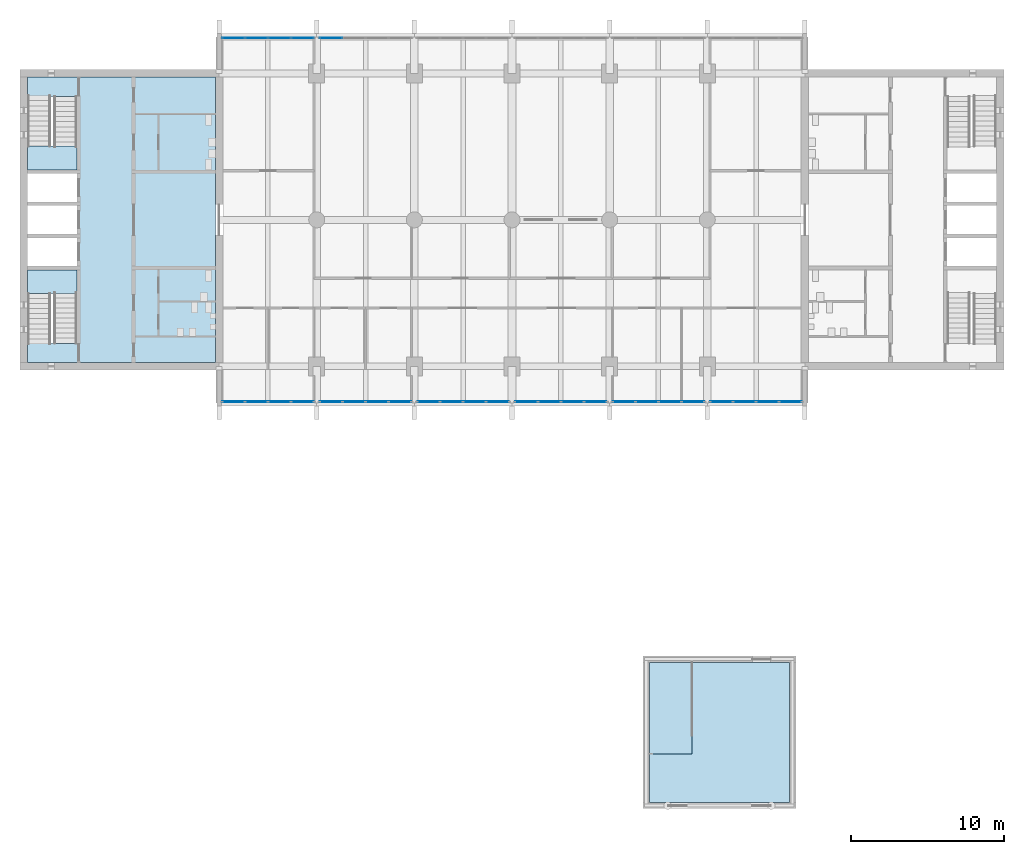
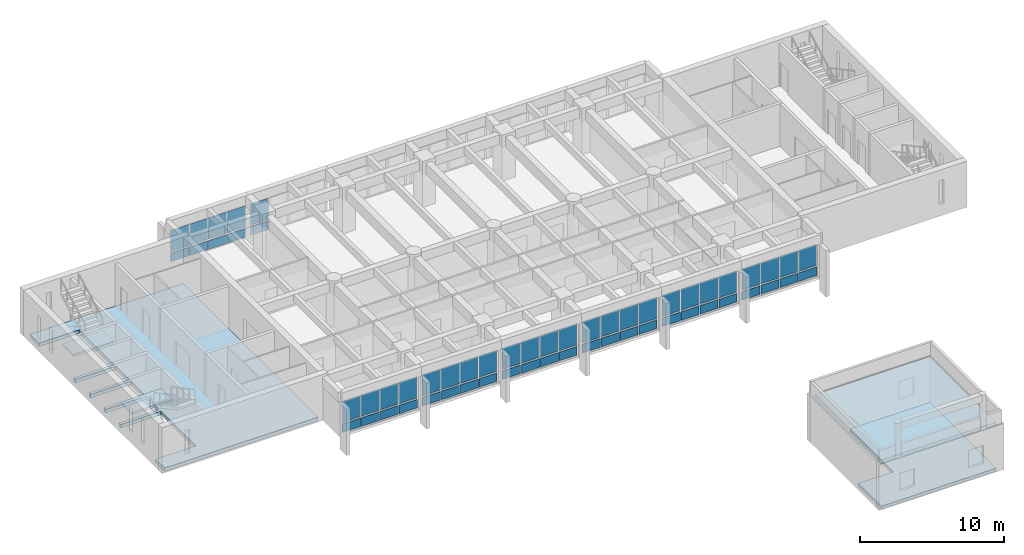
# One storey, part 8 of 19: 58 plates, 5 slabs, 10 elements without a shape of their own.
"""IFC4 building model written with IfcOpenShell, lengths in metres."""

from ifc_helpers import new_model, si_unit, direction, frame, origin, origin_2d, place, context, subcontext, project, spatial, polyline, rectangle, outline, extrude, material, layer, layer_set, type_object, element, aggregate, save


model = new_model("IFC4")

# Units and contexts
model_context = context("Model", 3, precision=1e-05, world=origin(), true_north=direction((0.0, 1.0)))
body_context = subcontext(model_context, "Body", "Model", "MODEL_VIEW")
ifc_project = project(units=[si_unit("LENGTHUNIT", "METRE"), si_unit("AREAUNIT", "SQUARE_METRE"), si_unit("VOLUMEUNIT", "CUBIC_METRE"), si_unit("PLANEANGLEUNIT", "RADIAN"), si_unit("MASSUNIT", "GRAM", prefix="KILO")], contexts=[model_context])

# Site, building, storey
site_placement = place(None, origin())
site = spatial("IfcSite", under=ifc_project, at=site_placement, CompositionType="ELEMENT")
building_placement = place(site_placement, origin())
building = spatial("IfcBuilding", under=site, at=building_placement, Name="Fogon Plaza Fire Station and Headquarters Tower", CompositionType="ELEMENT")
storey_placement = place(building_placement, frame((0.0, 0.0, 24.89990234375)))
storey = spatial("IfcBuildingStorey", under=building, at=storey_placement, Name="L06", CompositionType="ELEMENT", Elevation=24.89990234375)

# Slabs
ifc_material_1 = material(Name="Concrete C40", Category="concrete")
ifc_layer_1 = layer(ifc_material_1, 0.300048828125)
ifc_layer_set_1 = layer_set([ifc_layer_1], Name="Concrete C40")
slab_type_1 = type_object("IfcSlabType", Name="Core Floor Slab RC 300", PredefinedType="FLOOR", material=ifc_layer_set_1)
slab_1_placement = place(storey_placement, frame((0.0, 0.0, -0.2998046875)))
element("IfcSlab", 1, at=slab_1_placement, inside=storey, type_object=slab_type_1, Name="Core A floor", PredefinedType="FLOOR", context=body_context, shape_type="SweptSolid", body=[
    extrude(outline(polyline([(13.050048828125, 35.110107421875), (13.050048828125, 33.85009765625), (25.35009765625, 33.85009765625), (25.35009765625, 52.550048828125), (13.050048828125, 52.550048828125), (13.050048828125, 51.2900390625), (16.27490234375, 51.2900390625), (16.27490234375, 46.47509765625), (13.050048828125, 46.47509765625), (13.050048828125, 46.22509765625), (16.27490234375, 46.22509765625), (16.27490234375, 44.375), (13.050048828125, 44.375), (13.050048828125, 44.125), (16.27490234375, 44.125), (16.27490234375, 42.27490234375), (13.050048828125, 42.27490234375), (13.050048828125, 42.02490234375), (16.27490234375, 42.02490234375), (16.27490234375, 40.175048828125), (13.050048828125, 40.175048828125), (13.050048828125, 39.925048828125), (16.27490234375, 39.925048828125), (16.27490234375, 35.110107421875), (13.050048828125, 35.110107421875)])), origin(), (0.0, 0.0, 1.0), 0.2998046875),
])
ifc_material_2 = material(Name="Concrete C40", Category="concrete")
ifc_layer_2 = layer(ifc_material_2, 0.25)
ifc_layer_set_2 = layer_set([ifc_layer_2], Name="Concrete C40")
slab_type_2 = type_object("IfcSlabType", Name="Floor slab 250 S25", PredefinedType="FLOOR", material=ifc_layer_set_2)
slab_2_placement = place(storey_placement, frame((0.0, 0.0, -0.25)))
element("IfcSlab", 2, at=slab_2_placement, inside=storey, type_object=slab_type_2, Name="slab-drill-L06", PredefinedType="FLOOR", context=body_context, shape_type="SweptSolid", body=[
    extrude(outline(polyline([(63.0, 14.199951171875), (63.0, 5.0), (53.800048828125, 5.0), (53.800048828125, 8.199951171875), (56.60009765625, 8.199951171875), (56.60009765625, 14.199951171875), (63.0, 14.199951171875)])), origin(), (0.0, 0.0, 1.0), 0.25),
])

# Curtain wall, plates
ifc_material_3 = material(Name="Aluminium and glass", Category="aluminium")
ifc_layer_3 = layer(ifc_material_3, 0.14990234375)
ifc_layer_set_3 = layer_set([ifc_layer_3], Name="Aluminium and glass")
curtain_wall_type = type_object("IfcCurtainWallType", Name="Unitised Curtain Wall Run 6100x2880", PredefinedType="NOTDEFINED", material=ifc_layer_set_3)
curtain_wall_1_placement = place(storey_placement, origin())
curtain_wall_1 = element("IfcCurtainWall", 3, at=curtain_wall_1_placement, inside=storey, type_object=curtain_wall_type, Name="CW-6100x2880 S1 L06", PredefinedType="NOTDEFINED")
ifc_material_4 = material(Name="Insulated aluminium spandrel", Category="aluminium")
ifc_layer_4 = layer(ifc_material_4, 0.06005859375)
ifc_layer_set_4 = layer_set([ifc_layer_4], Name="Insulated aluminium spandrel")
plate_type_1 = type_object("IfcPlateType", Name="Insulated Spandrel Panel", PredefinedType="CURTAIN_PANEL", material=ifc_layer_set_4)
plate_1_placement = place(storey_placement, frame((26.534912109375, 31.280029296875, 0.1201171875), z_axis=(0.0, 0.0, 1.0), x_axis=(1.0, 0.0, 0.0)))
plate_1 = element("IfcPlate", 4, at=plate_1_placement, type_object=plate_type_1, Name="SP1 panel 1.1", PredefinedType="CURTAIN_PANEL", context=body_context, shape_type="SweptSolid", body=[
    extrude(rectangle(XDim=1.449951171875, YDim=0.06005859375, at=origin_2d()), origin(), (0.0, 0.0, 1.0), 0.719970703125),
])
plate_2_placement = place(storey_placement, frame((28.044921875, 31.280029296875, 0.1201171875), z_axis=(0.0, 0.0, 1.0), x_axis=(1.0, 0.0, 0.0)))
plate_2 = element("IfcPlate", 5, at=plate_2_placement, type_object=plate_type_1, Name="SP1 panel 2.1", PredefinedType="CURTAIN_PANEL", context=body_context, shape_type="SweptSolid", body=[
    extrude(rectangle(XDim=1.449951171875, YDim=0.06005859375, at=origin_2d()), origin(), (0.0, 0.0, 1.0), 0.719970703125),
])
plate_3_placement = place(storey_placement, frame((29.554931640625, 31.280029296875, 0.1201171875), z_axis=(0.0, 0.0, 1.0), x_axis=(1.0, 0.0, 0.0)))
plate_3 = element("IfcPlate", 6, at=plate_3_placement, type_object=plate_type_1, Name="SP1 panel 3.1", PredefinedType="CURTAIN_PANEL", context=body_context, shape_type="SweptSolid", body=[
    extrude(rectangle(XDim=1.449951171875, YDim=0.06005859375, at=origin_2d()), origin(), (0.0, 0.0, 1.0), 0.719970703125),
])
plate_4_placement = place(storey_placement, frame((31.06494140625, 31.280029296875, 0.1201171875), z_axis=(0.0, 0.0, 1.0), x_axis=(1.0, 0.0, 0.0)))
plate_4 = element("IfcPlate", 7, at=plate_4_placement, type_object=plate_type_1, Name="SP1 panel 4.1", PredefinedType="CURTAIN_PANEL", context=body_context, shape_type="SweptSolid", body=[
    extrude(rectangle(XDim=1.449951171875, YDim=0.06005859375, at=origin_2d()), origin(), (0.0, 0.0, 1.0), 0.719970703125),
])

curtain_wall_2_placement = place(storey_placement, origin())
curtain_wall_2 = element("IfcCurtainWall", 8, at=curtain_wall_2_placement, inside=storey, type_object=curtain_wall_type, Name="CW-6100x2880 S2 L06", PredefinedType="NOTDEFINED")
plate_5_placement = place(storey_placement, frame((32.93505859375, 31.280029296875, 0.1201171875), z_axis=(0.0, 0.0, 1.0), x_axis=(1.0, 0.0, 0.0)))
plate_5 = element("IfcPlate", 9, at=plate_5_placement, type_object=plate_type_1, Name="SP1 panel 1.1", PredefinedType="CURTAIN_PANEL", context=body_context, shape_type="SweptSolid", body=[
    extrude(rectangle(XDim=1.449951171875, YDim=0.06005859375, at=origin_2d()), origin(), (0.0, 0.0, 1.0), 0.719970703125),
])
plate_6_placement = place(storey_placement, frame((34.445068359375, 31.280029296875, 0.1201171875), z_axis=(0.0, 0.0, 1.0), x_axis=(1.0, 0.0, 0.0)))
plate_6 = element("IfcPlate", 10, at=plate_6_placement, type_object=plate_type_1, Name="SP1 panel 2.1", PredefinedType="CURTAIN_PANEL", context=body_context, shape_type="SweptSolid", body=[
    extrude(rectangle(XDim=1.449951171875, YDim=0.06005859375, at=origin_2d()), origin(), (0.0, 0.0, 1.0), 0.719970703125),
])
plate_7_placement = place(storey_placement, frame((35.955078125, 31.280029296875, 0.1201171875), z_axis=(0.0, 0.0, 1.0), x_axis=(1.0, 0.0, 0.0)))
plate_7 = element("IfcPlate", 11, at=plate_7_placement, type_object=plate_type_1, Name="SP1 panel 3.1", PredefinedType="CURTAIN_PANEL", context=body_context, shape_type="SweptSolid", body=[
    extrude(rectangle(XDim=1.449951171875, YDim=0.06005859375, at=origin_2d()), origin(), (0.0, 0.0, 1.0), 0.719970703125),
])
plate_8_placement = place(storey_placement, frame((37.465087890625, 31.280029296875, 0.1201171875), z_axis=(0.0, 0.0, 1.0), x_axis=(1.0, 0.0, 0.0)))
plate_8 = element("IfcPlate", 12, at=plate_8_placement, type_object=plate_type_1, Name="SP1 panel 4.1", PredefinedType="CURTAIN_PANEL", context=body_context, shape_type="SweptSolid", body=[
    extrude(rectangle(XDim=1.449951171875, YDim=0.06005859375, at=origin_2d()), origin(), (0.0, 0.0, 1.0), 0.719970703125),
])

curtain_wall_3_placement = place(storey_placement, origin())
curtain_wall_3 = element("IfcCurtainWall", 13, at=curtain_wall_3_placement, inside=storey, type_object=curtain_wall_type, Name="CW-6100x2880 S3 L06", PredefinedType="NOTDEFINED")
plate_9_placement = place(storey_placement, frame((39.3349609375, 31.280029296875, 0.1201171875), z_axis=(0.0, 0.0, 1.0), x_axis=(1.0, 0.0, 0.0)))
plate_9 = element("IfcPlate", 14, at=plate_9_placement, type_object=plate_type_1, Name="SP1 panel 1.1", PredefinedType="CURTAIN_PANEL", context=body_context, shape_type="SweptSolid", body=[
    extrude(rectangle(XDim=1.449951171875, YDim=0.06005859375, at=origin_2d()), origin(), (0.0, 0.0, 1.0), 0.719970703125),
])
plate_10_placement = place(storey_placement, frame((40.844970703125, 31.280029296875, 0.1201171875), z_axis=(0.0, 0.0, 1.0), x_axis=(1.0, 0.0, 0.0)))
plate_10 = element("IfcPlate", 15, at=plate_10_placement, type_object=plate_type_1, Name="SP1 panel 2.1", PredefinedType="CURTAIN_PANEL", context=body_context, shape_type="SweptSolid", body=[
    extrude(rectangle(XDim=1.449951171875, YDim=0.06005859375, at=origin_2d()), origin(), (0.0, 0.0, 1.0), 0.719970703125),
])
plate_11_placement = place(storey_placement, frame((42.35498046875, 31.280029296875, 0.1201171875), z_axis=(0.0, 0.0, 1.0), x_axis=(1.0, 0.0, 0.0)))
plate_11 = element("IfcPlate", 16, at=plate_11_placement, type_object=plate_type_1, Name="SP1 panel 3.1", PredefinedType="CURTAIN_PANEL", context=body_context, shape_type="SweptSolid", body=[
    extrude(rectangle(XDim=1.449951171875, YDim=0.06005859375, at=origin_2d()), origin(), (0.0, 0.0, 1.0), 0.719970703125),
])
plate_12_placement = place(storey_placement, frame((43.864990234375, 31.280029296875, 0.1201171875), z_axis=(0.0, 0.0, 1.0), x_axis=(1.0, 0.0, 0.0)))
plate_12 = element("IfcPlate", 17, at=plate_12_placement, type_object=plate_type_1, Name="SP1 panel 4.1", PredefinedType="CURTAIN_PANEL", context=body_context, shape_type="SweptSolid", body=[
    extrude(rectangle(XDim=1.449951171875, YDim=0.06005859375, at=origin_2d()), origin(), (0.0, 0.0, 1.0), 0.719970703125),
])

curtain_wall_4_placement = place(storey_placement, origin())
curtain_wall_4 = element("IfcCurtainWall", 18, at=curtain_wall_4_placement, inside=storey, type_object=curtain_wall_type, Name="CW-6100x2880 S4 L06", PredefinedType="NOTDEFINED")
plate_13_placement = place(storey_placement, frame((45.735107421875, 31.280029296875, 0.1201171875), z_axis=(0.0, 0.0, 1.0), x_axis=(1.0, 0.0, 0.0)))
plate_13 = element("IfcPlate", 19, at=plate_13_placement, type_object=plate_type_1, Name="SP1 panel 1.1", PredefinedType="CURTAIN_PANEL", context=body_context, shape_type="SweptSolid", body=[
    extrude(rectangle(XDim=1.449951171875, YDim=0.06005859375, at=origin_2d()), origin(), (0.0, 0.0, 1.0), 0.719970703125),
])
plate_14_placement = place(storey_placement, frame((47.2451171875, 31.280029296875, 0.1201171875), z_axis=(0.0, 0.0, 1.0), x_axis=(1.0, 0.0, 0.0)))
plate_14 = element("IfcPlate", 20, at=plate_14_placement, type_object=plate_type_1, Name="SP1 panel 2.1", PredefinedType="CURTAIN_PANEL", context=body_context, shape_type="SweptSolid", body=[
    extrude(rectangle(XDim=1.449951171875, YDim=0.06005859375, at=origin_2d()), origin(), (0.0, 0.0, 1.0), 0.719970703125),
])
plate_15_placement = place(storey_placement, frame((48.7548828125, 31.280029296875, 0.1201171875), z_axis=(0.0, 0.0, 1.0), x_axis=(1.0, 0.0, 0.0)))
plate_15 = element("IfcPlate", 21, at=plate_15_placement, type_object=plate_type_1, Name="SP1 panel 3.1", PredefinedType="CURTAIN_PANEL", context=body_context, shape_type="SweptSolid", body=[
    extrude(rectangle(XDim=1.449951171875, YDim=0.06005859375, at=origin_2d()), origin(), (0.0, 0.0, 1.0), 0.719970703125),
])
plate_16_placement = place(storey_placement, frame((50.264892578125, 31.280029296875, 0.1201171875), z_axis=(0.0, 0.0, 1.0), x_axis=(1.0, 0.0, 0.0)))
plate_16 = element("IfcPlate", 22, at=plate_16_placement, type_object=plate_type_1, Name="SP1 panel 4.1", PredefinedType="CURTAIN_PANEL", context=body_context, shape_type="SweptSolid", body=[
    extrude(rectangle(XDim=1.449951171875, YDim=0.06005859375, at=origin_2d()), origin(), (0.0, 0.0, 1.0), 0.719970703125),
])

curtain_wall_5_placement = place(storey_placement, origin())
curtain_wall_5 = element("IfcCurtainWall", 23, at=curtain_wall_5_placement, inside=storey, type_object=curtain_wall_type, Name="CW-6100x2880 S5 L06", PredefinedType="NOTDEFINED")
plate_17_placement = place(storey_placement, frame((52.135009765625, 31.280029296875, 0.1201171875), z_axis=(0.0, 0.0, 1.0), x_axis=(1.0, 0.0, 0.0)))
plate_17 = element("IfcPlate", 24, at=plate_17_placement, type_object=plate_type_1, Name="SP1 panel 1.1", PredefinedType="CURTAIN_PANEL", context=body_context, shape_type="SweptSolid", body=[
    extrude(rectangle(XDim=1.449951171875, YDim=0.06005859375, at=origin_2d()), origin(), (0.0, 0.0, 1.0), 0.719970703125),
])
plate_18_placement = place(storey_placement, frame((53.64501953125, 31.280029296875, 0.1201171875), z_axis=(0.0, 0.0, 1.0), x_axis=(1.0, 0.0, 0.0)))
plate_18 = element("IfcPlate", 25, at=plate_18_placement, type_object=plate_type_1, Name="SP1 panel 2.1", PredefinedType="CURTAIN_PANEL", context=body_context, shape_type="SweptSolid", body=[
    extrude(rectangle(XDim=1.449951171875, YDim=0.06005859375, at=origin_2d()), origin(), (0.0, 0.0, 1.0), 0.719970703125),
])
plate_19_placement = place(storey_placement, frame((55.155029296875, 31.280029296875, 0.1201171875), z_axis=(0.0, 0.0, 1.0), x_axis=(1.0, 0.0, 0.0)))
plate_19 = element("IfcPlate", 26, at=plate_19_placement, type_object=plate_type_1, Name="SP1 panel 3.1", PredefinedType="CURTAIN_PANEL", context=body_context, shape_type="SweptSolid", body=[
    extrude(rectangle(XDim=1.449951171875, YDim=0.06005859375, at=origin_2d()), origin(), (0.0, 0.0, 1.0), 0.719970703125),
])
plate_20_placement = place(storey_placement, frame((56.6650390625, 31.280029296875, 0.1201171875), z_axis=(0.0, 0.0, 1.0), x_axis=(1.0, 0.0, 0.0)))
plate_20 = element("IfcPlate", 27, at=plate_20_placement, type_object=plate_type_1, Name="SP1 panel 4.1", PredefinedType="CURTAIN_PANEL", context=body_context, shape_type="SweptSolid", body=[
    extrude(rectangle(XDim=1.449951171875, YDim=0.06005859375, at=origin_2d()), origin(), (0.0, 0.0, 1.0), 0.719970703125),
])

curtain_wall_6_placement = place(storey_placement, origin())
curtain_wall_6 = element("IfcCurtainWall", 28, at=curtain_wall_6_placement, inside=storey, type_object=curtain_wall_type, Name="CW-6100x2880 S6 L06", PredefinedType="NOTDEFINED")
plate_21_placement = place(storey_placement, frame((58.534912109375, 31.280029296875, 0.1201171875), z_axis=(0.0, 0.0, 1.0), x_axis=(1.0, 0.0, 0.0)))
plate_21 = element("IfcPlate", 29, at=plate_21_placement, type_object=plate_type_1, Name="SP1 panel 1.1", PredefinedType="CURTAIN_PANEL", context=body_context, shape_type="SweptSolid", body=[
    extrude(rectangle(XDim=1.449951171875, YDim=0.06005859375, at=origin_2d()), origin(), (0.0, 0.0, 1.0), 0.719970703125),
])
plate_22_placement = place(storey_placement, frame((60.044921875, 31.280029296875, 0.1201171875), z_axis=(0.0, 0.0, 1.0), x_axis=(1.0, 0.0, 0.0)))
plate_22 = element("IfcPlate", 30, at=plate_22_placement, type_object=plate_type_1, Name="SP1 panel 2.1", PredefinedType="CURTAIN_PANEL", context=body_context, shape_type="SweptSolid", body=[
    extrude(rectangle(XDim=1.449951171875, YDim=0.06005859375, at=origin_2d()), origin(), (0.0, 0.0, 1.0), 0.719970703125),
])
plate_23_placement = place(storey_placement, frame((61.554931640625, 31.280029296875, 0.1201171875), z_axis=(0.0, 0.0, 1.0), x_axis=(1.0, 0.0, 0.0)))
plate_23 = element("IfcPlate", 31, at=plate_23_placement, type_object=plate_type_1, Name="SP1 panel 3.1", PredefinedType="CURTAIN_PANEL", context=body_context, shape_type="SweptSolid", body=[
    extrude(rectangle(XDim=1.449951171875, YDim=0.06005859375, at=origin_2d()), origin(), (0.0, 0.0, 1.0), 0.719970703125),
])
plate_24_placement = place(storey_placement, frame((63.06494140625, 31.280029296875, 0.1201171875), z_axis=(0.0, 0.0, 1.0), x_axis=(1.0, 0.0, 0.0)))
plate_24 = element("IfcPlate", 32, at=plate_24_placement, type_object=plate_type_1, Name="SP1 panel 4.1", PredefinedType="CURTAIN_PANEL", context=body_context, shape_type="SweptSolid", body=[
    extrude(rectangle(XDim=1.449951171875, YDim=0.06005859375, at=origin_2d()), origin(), (0.0, 0.0, 1.0), 0.719970703125),
])

curtain_wall_7_placement = place(storey_placement, origin())
curtain_wall_7 = element("IfcCurtainWall", 33, at=curtain_wall_7_placement, inside=storey, type_object=curtain_wall_type, Name="CW-6100x2880 N1 L06", PredefinedType="NOTDEFINED")
plate_25_placement = place(storey_placement, frame((26.534912109375, 55.1201171875, 0.1201171875), z_axis=(0.0, 0.0, 1.0), x_axis=(1.0, 0.0, 0.0)))
plate_25 = element("IfcPlate", 34, at=plate_25_placement, type_object=plate_type_1, Name="SP1 panel 1.1", PredefinedType="CURTAIN_PANEL", context=body_context, shape_type="SweptSolid", body=[
    extrude(rectangle(XDim=1.449951171875, YDim=0.06005859375, at=origin_2d()), origin(), (0.0, 0.0, 1.0), 0.719970703125),
])
plate_26_placement = place(storey_placement, frame((28.044921875, 55.1201171875, 0.1201171875), z_axis=(0.0, 0.0, 1.0), x_axis=(1.0, 0.0, 0.0)))
plate_26 = element("IfcPlate", 35, at=plate_26_placement, type_object=plate_type_1, Name="SP1 panel 2.1", PredefinedType="CURTAIN_PANEL", context=body_context, shape_type="SweptSolid", body=[
    extrude(rectangle(XDim=1.449951171875, YDim=0.06005859375, at=origin_2d()), origin(), (0.0, 0.0, 1.0), 0.719970703125),
])
plate_27_placement = place(storey_placement, frame((29.554931640625, 55.1201171875, 0.1201171875), z_axis=(0.0, 0.0, 1.0), x_axis=(1.0, 0.0, 0.0)))
plate_27 = element("IfcPlate", 36, at=plate_27_placement, type_object=plate_type_1, Name="SP1 panel 3.1", PredefinedType="CURTAIN_PANEL", context=body_context, shape_type="SweptSolid", body=[
    extrude(rectangle(XDim=1.449951171875, YDim=0.06005859375, at=origin_2d()), origin(), (0.0, 0.0, 1.0), 0.719970703125),
])
plate_28_placement = place(storey_placement, frame((31.06494140625, 55.1201171875, 0.1201171875), z_axis=(0.0, 0.0, 1.0), x_axis=(1.0, 0.0, 0.0)))
plate_28 = element("IfcPlate", 37, at=plate_28_placement, type_object=plate_type_1, Name="SP1 panel 4.1", PredefinedType="CURTAIN_PANEL", context=body_context, shape_type="SweptSolid", body=[
    extrude(rectangle(XDim=1.449951171875, YDim=0.06005859375, at=origin_2d()), origin(), (0.0, 0.0, 1.0), 0.719970703125),
])

# Curtain wall, plate
curtain_wall_8_placement = place(storey_placement, origin())
curtain_wall_8 = element("IfcCurtainWall", 38, at=curtain_wall_8_placement, inside=storey, type_object=curtain_wall_type, Name="CW-6100x2880 N2 L06", PredefinedType="NOTDEFINED")
plate_29_placement = place(storey_placement, frame((32.93505859375, 55.1201171875, 0.1201171875), z_axis=(0.0, 0.0, 1.0), x_axis=(1.0, 0.0, 0.0)))
plate_29 = element("IfcPlate", 39, at=plate_29_placement, type_object=plate_type_1, Name="SP1 panel 1.1", PredefinedType="CURTAIN_PANEL", context=body_context, shape_type="SweptSolid", body=[
    extrude(rectangle(XDim=1.449951171875, YDim=0.06005859375, at=origin_2d()), origin(), (0.0, 0.0, 1.0), 0.719970703125),
])

# Slab
ifc_material_5 = material(Name="Concrete C40", Category="concrete")
ifc_layer_5 = layer(ifc_material_5, 0.35009765625)
ifc_layer_set_5 = layer_set([ifc_layer_5], Name="Concrete C40")
slab_type_3 = type_object("IfcSlabType", Name="Roof slab 350 R35", PredefinedType="ROOF", material=ifc_layer_set_5)
slab_3_placement = place(storey_placement, frame((0.0, 0.0, 3.550048828125)))
element("IfcSlab", 40, at=slab_3_placement, inside=storey, type_object=slab_type_3, Name="slab-drill-roof", PredefinedType="ROOF", context=body_context, shape_type="SweptSolid", body=[
    extrude(outline(polyline([(63.0, 5.0), (63.0, 14.199951171875), (53.800048828125, 14.199951171875), (53.800048828125, 5.0), (63.0, 5.0)])), origin(), (0.0, 0.0, 1.0), 0.35009765625),
])

# Stair, slab
ifc_material_6 = material(Name="Concrete C40", Category="concrete")
stair_type = type_object("IfcStairType", Name="Exit Stair Two Flights", PredefinedType="TWO_STRAIGHT_RUN_STAIR", material=ifc_material_6)
stair_1_placement = place(storey_placement, origin())
stair_1 = element("IfcStair", 41, at=stair_1_placement, inside=storey, type_object=stair_type, Name="Stair ST1", PredefinedType="TWO_STRAIGHT_RUN_STAIR")
ifc_material_7 = material(Name="Concrete C40", Category="concrete")
ifc_layer_6 = layer(ifc_material_7, 0.300048828125)
ifc_layer_set_6 = layer_set([ifc_layer_6], Name="Concrete C40")
slab_type_4 = type_object("IfcSlabType", Name="Stair Landing RC 300", PredefinedType="LANDING", material=ifc_layer_set_6)
slab_4_placement = place(storey_placement, frame((0.0, 0.0, 1.75)))
slab_4 = element("IfcSlab", 42, at=slab_4_placement, type_object=slab_type_4, Name="ST1 landing L08", PredefinedType="LANDING", context=body_context, shape_type="SweptSolid", body=[
    extrude(outline(polyline([(16.27490234375, 38.375), (16.27490234375, 39.925048828125), (13.050048828125, 39.925048828125), (13.050048828125, 38.375), (16.27490234375, 38.375)])), origin(), (0.0, 0.0, 1.0), 0.2001953125),
])
aggregate(stair_1, [slab_4])

stair_2_placement = place(storey_placement, origin())
stair_2 = element("IfcStair", 43, at=stair_2_placement, inside=storey, type_object=stair_type, Name="Stair ST2", PredefinedType="TWO_STRAIGHT_RUN_STAIR")
slab_5_placement = place(storey_placement, frame((0.0, 0.0, 1.75)))
slab_5 = element("IfcSlab", 44, at=slab_5_placement, type_object=slab_type_4, Name="ST2 landing L08", PredefinedType="LANDING", context=body_context, shape_type="SweptSolid", body=[
    extrude(outline(polyline([(16.27490234375, 46.47509765625), (16.27490234375, 48.02490234375), (13.050048828125, 48.02490234375), (13.050048828125, 46.47509765625), (16.27490234375, 46.47509765625)])), origin(), (0.0, 0.0, 1.0), 0.2001953125),
])
aggregate(stair_2, [slab_5])

# Plate
ifc_material_8 = material(Name="Low-e double glazing", Category="glass")
ifc_layer_7 = layer(ifc_material_8, 0.028076171875)
ifc_layer_set_7 = layer_set([ifc_layer_7], Name="Low-e double glazing")
plate_type_2 = type_object("IfcPlateType", Name="Vision Glass Panel 1450x1800", PredefinedType="CURTAIN_PANEL", material=ifc_layer_set_7)
plate_30_placement = place(storey_placement, frame((26.534912109375, 31.280029296875, 0.9599609375), z_axis=(0.0, 0.0, 1.0), x_axis=(1.0, 0.0, 0.0)))
plate_30 = element("IfcPlate", 45, at=plate_30_placement, type_object=plate_type_2, Name="VG-1450x1800 panel 1.2", PredefinedType="CURTAIN_PANEL", context=body_context, shape_type="SweptSolid", body=[
    extrude(rectangle(XDim=1.449951171875, YDim=0.028076171875, at=origin_2d()), origin(), (0.0, 0.0, 1.0), 1.800048828125),
])

plate_31_placement = place(storey_placement, frame((28.044921875, 31.280029296875, 0.9599609375), z_axis=(0.0, 0.0, 1.0), x_axis=(1.0, 0.0, 0.0)))
plate_31 = element("IfcPlate", 46, at=plate_31_placement, type_object=plate_type_2, Name="VG-1450x1800 panel 2.2", PredefinedType="CURTAIN_PANEL", context=body_context, shape_type="SweptSolid", body=[
    extrude(rectangle(XDim=1.449951171875, YDim=0.028076171875, at=origin_2d()), origin(), (0.0, 0.0, 1.0), 1.800048828125),
])

plate_32_placement = place(storey_placement, frame((29.554931640625, 31.280029296875, 0.9599609375), z_axis=(0.0, 0.0, 1.0), x_axis=(1.0, 0.0, 0.0)))
plate_32 = element("IfcPlate", 47, at=plate_32_placement, type_object=plate_type_2, Name="VG-1450x1800 panel 3.2", PredefinedType="CURTAIN_PANEL", context=body_context, shape_type="SweptSolid", body=[
    extrude(rectangle(XDim=1.449951171875, YDim=0.028076171875, at=origin_2d()), origin(), (0.0, 0.0, 1.0), 1.800048828125),
])

plate_33_placement = place(storey_placement, frame((31.06494140625, 31.280029296875, 0.9599609375), z_axis=(0.0, 0.0, 1.0), x_axis=(1.0, 0.0, 0.0)))
plate_33 = element("IfcPlate", 48, at=plate_33_placement, type_object=plate_type_2, Name="VG-1450x1800 panel 4.2", PredefinedType="CURTAIN_PANEL", context=body_context, shape_type="SweptSolid", body=[
    extrude(rectangle(XDim=1.449951171875, YDim=0.028076171875, at=origin_2d()), origin(), (0.0, 0.0, 1.0), 1.800048828125),
])

aggregate(curtain_wall_1, [plate_1, plate_30, plate_2, plate_31, plate_3, plate_32, plate_4, plate_33])

plate_34_placement = place(storey_placement, frame((32.93505859375, 31.280029296875, 0.9599609375), z_axis=(0.0, 0.0, 1.0), x_axis=(1.0, 0.0, 0.0)))
plate_34 = element("IfcPlate", 49, at=plate_34_placement, type_object=plate_type_2, Name="VG-1450x1800 panel 1.2", PredefinedType="CURTAIN_PANEL", context=body_context, shape_type="SweptSolid", body=[
    extrude(rectangle(XDim=1.449951171875, YDim=0.028076171875, at=origin_2d()), origin(), (0.0, 0.0, 1.0), 1.800048828125),
])

plate_35_placement = place(storey_placement, frame((34.445068359375, 31.280029296875, 0.9599609375), z_axis=(0.0, 0.0, 1.0), x_axis=(1.0, 0.0, 0.0)))
plate_35 = element("IfcPlate", 50, at=plate_35_placement, type_object=plate_type_2, Name="VG-1450x1800 panel 2.2", PredefinedType="CURTAIN_PANEL", context=body_context, shape_type="SweptSolid", body=[
    extrude(rectangle(XDim=1.449951171875, YDim=0.028076171875, at=origin_2d()), origin(), (0.0, 0.0, 1.0), 1.800048828125),
])

plate_36_placement = place(storey_placement, frame((35.955078125, 31.280029296875, 0.9599609375), z_axis=(0.0, 0.0, 1.0), x_axis=(1.0, 0.0, 0.0)))
plate_36 = element("IfcPlate", 51, at=plate_36_placement, type_object=plate_type_2, Name="VG-1450x1800 panel 3.2", PredefinedType="CURTAIN_PANEL", context=body_context, shape_type="SweptSolid", body=[
    extrude(rectangle(XDim=1.449951171875, YDim=0.028076171875, at=origin_2d()), origin(), (0.0, 0.0, 1.0), 1.800048828125),
])

plate_37_placement = place(storey_placement, frame((37.465087890625, 31.280029296875, 0.9599609375), z_axis=(0.0, 0.0, 1.0), x_axis=(1.0, 0.0, 0.0)))
plate_37 = element("IfcPlate", 52, at=plate_37_placement, type_object=plate_type_2, Name="VG-1450x1800 panel 4.2", PredefinedType="CURTAIN_PANEL", context=body_context, shape_type="SweptSolid", body=[
    extrude(rectangle(XDim=1.449951171875, YDim=0.028076171875, at=origin_2d()), origin(), (0.0, 0.0, 1.0), 1.800048828125),
])

aggregate(curtain_wall_2, [plate_5, plate_34, plate_6, plate_35, plate_7, plate_36, plate_8, plate_37])

plate_38_placement = place(storey_placement, frame((39.3349609375, 31.280029296875, 0.9599609375), z_axis=(0.0, 0.0, 1.0), x_axis=(1.0, 0.0, 0.0)))
plate_38 = element("IfcPlate", 53, at=plate_38_placement, type_object=plate_type_2, Name="VG-1450x1800 panel 1.2", PredefinedType="CURTAIN_PANEL", context=body_context, shape_type="SweptSolid", body=[
    extrude(rectangle(XDim=1.449951171875, YDim=0.028076171875, at=origin_2d()), origin(), (0.0, 0.0, 1.0), 1.800048828125),
])

plate_39_placement = place(storey_placement, frame((40.844970703125, 31.280029296875, 0.9599609375), z_axis=(0.0, 0.0, 1.0), x_axis=(1.0, 0.0, 0.0)))
plate_39 = element("IfcPlate", 54, at=plate_39_placement, type_object=plate_type_2, Name="VG-1450x1800 panel 2.2", PredefinedType="CURTAIN_PANEL", context=body_context, shape_type="SweptSolid", body=[
    extrude(rectangle(XDim=1.449951171875, YDim=0.028076171875, at=origin_2d()), origin(), (0.0, 0.0, 1.0), 1.800048828125),
])

plate_40_placement = place(storey_placement, frame((42.35498046875, 31.280029296875, 0.9599609375), z_axis=(0.0, 0.0, 1.0), x_axis=(1.0, 0.0, 0.0)))
plate_40 = element("IfcPlate", 55, at=plate_40_placement, type_object=plate_type_2, Name="VG-1450x1800 panel 3.2", PredefinedType="CURTAIN_PANEL", context=body_context, shape_type="SweptSolid", body=[
    extrude(rectangle(XDim=1.449951171875, YDim=0.028076171875, at=origin_2d()), origin(), (0.0, 0.0, 1.0), 1.800048828125),
])

plate_41_placement = place(storey_placement, frame((43.864990234375, 31.280029296875, 0.9599609375), z_axis=(0.0, 0.0, 1.0), x_axis=(1.0, 0.0, 0.0)))
plate_41 = element("IfcPlate", 56, at=plate_41_placement, type_object=plate_type_2, Name="VG-1450x1800 panel 4.2", PredefinedType="CURTAIN_PANEL", context=body_context, shape_type="SweptSolid", body=[
    extrude(rectangle(XDim=1.449951171875, YDim=0.028076171875, at=origin_2d()), origin(), (0.0, 0.0, 1.0), 1.800048828125),
])

aggregate(curtain_wall_3, [plate_9, plate_38, plate_10, plate_39, plate_11, plate_40, plate_12, plate_41])

plate_42_placement = place(storey_placement, frame((45.735107421875, 31.280029296875, 0.9599609375), z_axis=(0.0, 0.0, 1.0), x_axis=(1.0, 0.0, 0.0)))
plate_42 = element("IfcPlate", 57, at=plate_42_placement, type_object=plate_type_2, Name="VG-1450x1800 panel 1.2", PredefinedType="CURTAIN_PANEL", context=body_context, shape_type="SweptSolid", body=[
    extrude(rectangle(XDim=1.449951171875, YDim=0.028076171875, at=origin_2d()), origin(), (0.0, 0.0, 1.0), 1.800048828125),
])

plate_43_placement = place(storey_placement, frame((47.2451171875, 31.280029296875, 0.9599609375), z_axis=(0.0, 0.0, 1.0), x_axis=(1.0, 0.0, 0.0)))
plate_43 = element("IfcPlate", 58, at=plate_43_placement, type_object=plate_type_2, Name="VG-1450x1800 panel 2.2", PredefinedType="CURTAIN_PANEL", context=body_context, shape_type="SweptSolid", body=[
    extrude(rectangle(XDim=1.449951171875, YDim=0.028076171875, at=origin_2d()), origin(), (0.0, 0.0, 1.0), 1.800048828125),
])

plate_44_placement = place(storey_placement, frame((48.7548828125, 31.280029296875, 0.9599609375), z_axis=(0.0, 0.0, 1.0), x_axis=(1.0, 0.0, 0.0)))
plate_44 = element("IfcPlate", 59, at=plate_44_placement, type_object=plate_type_2, Name="VG-1450x1800 panel 3.2", PredefinedType="CURTAIN_PANEL", context=body_context, shape_type="SweptSolid", body=[
    extrude(rectangle(XDim=1.449951171875, YDim=0.028076171875, at=origin_2d()), origin(), (0.0, 0.0, 1.0), 1.800048828125),
])

plate_45_placement = place(storey_placement, frame((50.264892578125, 31.280029296875, 0.9599609375), z_axis=(0.0, 0.0, 1.0), x_axis=(1.0, 0.0, 0.0)))
plate_45 = element("IfcPlate", 60, at=plate_45_placement, type_object=plate_type_2, Name="VG-1450x1800 panel 4.2", PredefinedType="CURTAIN_PANEL", context=body_context, shape_type="SweptSolid", body=[
    extrude(rectangle(XDim=1.449951171875, YDim=0.028076171875, at=origin_2d()), origin(), (0.0, 0.0, 1.0), 1.800048828125),
])

aggregate(curtain_wall_4, [plate_13, plate_42, plate_14, plate_43, plate_15, plate_44, plate_16, plate_45])

plate_46_placement = place(storey_placement, frame((52.135009765625, 31.280029296875, 0.9599609375), z_axis=(0.0, 0.0, 1.0), x_axis=(1.0, 0.0, 0.0)))
plate_46 = element("IfcPlate", 61, at=plate_46_placement, type_object=plate_type_2, Name="VG-1450x1800 panel 1.2", PredefinedType="CURTAIN_PANEL", context=body_context, shape_type="SweptSolid", body=[
    extrude(rectangle(XDim=1.449951171875, YDim=0.028076171875, at=origin_2d()), origin(), (0.0, 0.0, 1.0), 1.800048828125),
])

plate_47_placement = place(storey_placement, frame((53.64501953125, 31.280029296875, 0.9599609375), z_axis=(0.0, 0.0, 1.0), x_axis=(1.0, 0.0, 0.0)))
plate_47 = element("IfcPlate", 62, at=plate_47_placement, type_object=plate_type_2, Name="VG-1450x1800 panel 2.2", PredefinedType="CURTAIN_PANEL", context=body_context, shape_type="SweptSolid", body=[
    extrude(rectangle(XDim=1.449951171875, YDim=0.028076171875, at=origin_2d()), origin(), (0.0, 0.0, 1.0), 1.800048828125),
])

plate_48_placement = place(storey_placement, frame((55.155029296875, 31.280029296875, 0.9599609375), z_axis=(0.0, 0.0, 1.0), x_axis=(1.0, 0.0, 0.0)))
plate_48 = element("IfcPlate", 63, at=plate_48_placement, type_object=plate_type_2, Name="VG-1450x1800 panel 3.2", PredefinedType="CURTAIN_PANEL", context=body_context, shape_type="SweptSolid", body=[
    extrude(rectangle(XDim=1.449951171875, YDim=0.028076171875, at=origin_2d()), origin(), (0.0, 0.0, 1.0), 1.800048828125),
])

plate_49_placement = place(storey_placement, frame((56.6650390625, 31.280029296875, 0.9599609375), z_axis=(0.0, 0.0, 1.0), x_axis=(1.0, 0.0, 0.0)))
plate_49 = element("IfcPlate", 64, at=plate_49_placement, type_object=plate_type_2, Name="VG-1450x1800 panel 4.2", PredefinedType="CURTAIN_PANEL", context=body_context, shape_type="SweptSolid", body=[
    extrude(rectangle(XDim=1.449951171875, YDim=0.028076171875, at=origin_2d()), origin(), (0.0, 0.0, 1.0), 1.800048828125),
])

aggregate(curtain_wall_5, [plate_17, plate_46, plate_18, plate_47, plate_19, plate_48, plate_20, plate_49])

plate_50_placement = place(storey_placement, frame((58.534912109375, 31.280029296875, 0.9599609375), z_axis=(0.0, 0.0, 1.0), x_axis=(1.0, 0.0, 0.0)))
plate_50 = element("IfcPlate", 65, at=plate_50_placement, type_object=plate_type_2, Name="VG-1450x1800 panel 1.2", PredefinedType="CURTAIN_PANEL", context=body_context, shape_type="SweptSolid", body=[
    extrude(rectangle(XDim=1.449951171875, YDim=0.028076171875, at=origin_2d()), origin(), (0.0, 0.0, 1.0), 1.800048828125),
])

plate_51_placement = place(storey_placement, frame((60.044921875, 31.280029296875, 0.9599609375), z_axis=(0.0, 0.0, 1.0), x_axis=(1.0, 0.0, 0.0)))
plate_51 = element("IfcPlate", 66, at=plate_51_placement, type_object=plate_type_2, Name="VG-1450x1800 panel 2.2", PredefinedType="CURTAIN_PANEL", context=body_context, shape_type="SweptSolid", body=[
    extrude(rectangle(XDim=1.449951171875, YDim=0.028076171875, at=origin_2d()), origin(), (0.0, 0.0, 1.0), 1.800048828125),
])

plate_52_placement = place(storey_placement, frame((61.554931640625, 31.280029296875, 0.9599609375), z_axis=(0.0, 0.0, 1.0), x_axis=(1.0, 0.0, 0.0)))
plate_52 = element("IfcPlate", 67, at=plate_52_placement, type_object=plate_type_2, Name="VG-1450x1800 panel 3.2", PredefinedType="CURTAIN_PANEL", context=body_context, shape_type="SweptSolid", body=[
    extrude(rectangle(XDim=1.449951171875, YDim=0.028076171875, at=origin_2d()), origin(), (0.0, 0.0, 1.0), 1.800048828125),
])

plate_53_placement = place(storey_placement, frame((63.06494140625, 31.280029296875, 0.9599609375), z_axis=(0.0, 0.0, 1.0), x_axis=(1.0, 0.0, 0.0)))
plate_53 = element("IfcPlate", 68, at=plate_53_placement, type_object=plate_type_2, Name="VG-1450x1800 panel 4.2", PredefinedType="CURTAIN_PANEL", context=body_context, shape_type="SweptSolid", body=[
    extrude(rectangle(XDim=1.449951171875, YDim=0.028076171875, at=origin_2d()), origin(), (0.0, 0.0, 1.0), 1.800048828125),
])

aggregate(curtain_wall_6, [plate_21, plate_50, plate_22, plate_51, plate_23, plate_52, plate_24, plate_53])

plate_54_placement = place(storey_placement, frame((26.534912109375, 55.1201171875, 0.9599609375), z_axis=(0.0, 0.0, 1.0), x_axis=(1.0, 0.0, 0.0)))
plate_54 = element("IfcPlate", 69, at=plate_54_placement, type_object=plate_type_2, Name="VG-1450x1800 panel 1.2", PredefinedType="CURTAIN_PANEL", context=body_context, shape_type="SweptSolid", body=[
    extrude(rectangle(XDim=1.449951171875, YDim=0.028076171875, at=origin_2d()), origin(), (0.0, 0.0, 1.0), 1.800048828125),
])

plate_55_placement = place(storey_placement, frame((28.044921875, 55.1201171875, 0.9599609375), z_axis=(0.0, 0.0, 1.0), x_axis=(1.0, 0.0, 0.0)))
plate_55 = element("IfcPlate", 70, at=plate_55_placement, type_object=plate_type_2, Name="VG-1450x1800 panel 2.2", PredefinedType="CURTAIN_PANEL", context=body_context, shape_type="SweptSolid", body=[
    extrude(rectangle(XDim=1.449951171875, YDim=0.028076171875, at=origin_2d()), origin(), (0.0, 0.0, 1.0), 1.800048828125),
])

plate_56_placement = place(storey_placement, frame((29.554931640625, 55.1201171875, 0.9599609375), z_axis=(0.0, 0.0, 1.0), x_axis=(1.0, 0.0, 0.0)))
plate_56 = element("IfcPlate", 71, at=plate_56_placement, type_object=plate_type_2, Name="VG-1450x1800 panel 3.2", PredefinedType="CURTAIN_PANEL", context=body_context, shape_type="SweptSolid", body=[
    extrude(rectangle(XDim=1.449951171875, YDim=0.028076171875, at=origin_2d()), origin(), (0.0, 0.0, 1.0), 1.800048828125),
])

plate_57_placement = place(storey_placement, frame((31.06494140625, 55.1201171875, 0.9599609375), z_axis=(0.0, 0.0, 1.0), x_axis=(1.0, 0.0, 0.0)))
plate_57 = element("IfcPlate", 72, at=plate_57_placement, type_object=plate_type_2, Name="VG-1450x1800 panel 4.2", PredefinedType="CURTAIN_PANEL", context=body_context, shape_type="SweptSolid", body=[
    extrude(rectangle(XDim=1.449951171875, YDim=0.028076171875, at=origin_2d()), origin(), (0.0, 0.0, 1.0), 1.800048828125),
])

aggregate(curtain_wall_7, [plate_25, plate_54, plate_26, plate_55, plate_27, plate_56, plate_28, plate_57])

plate_58_placement = place(storey_placement, frame((32.93505859375, 55.1201171875, 0.9599609375), z_axis=(0.0, 0.0, 1.0), x_axis=(1.0, 0.0, 0.0)))
plate_58 = element("IfcPlate", 73, at=plate_58_placement, type_object=plate_type_2, Name="VG-1450x1800 panel 1.2", PredefinedType="CURTAIN_PANEL", context=body_context, shape_type="SweptSolid", body=[
    extrude(rectangle(XDim=1.449951171875, YDim=0.028076171875, at=origin_2d()), origin(), (0.0, 0.0, 1.0), 1.800048828125),
])

aggregate(curtain_wall_8, [plate_29, plate_58])

save(model, "model.ifc")
